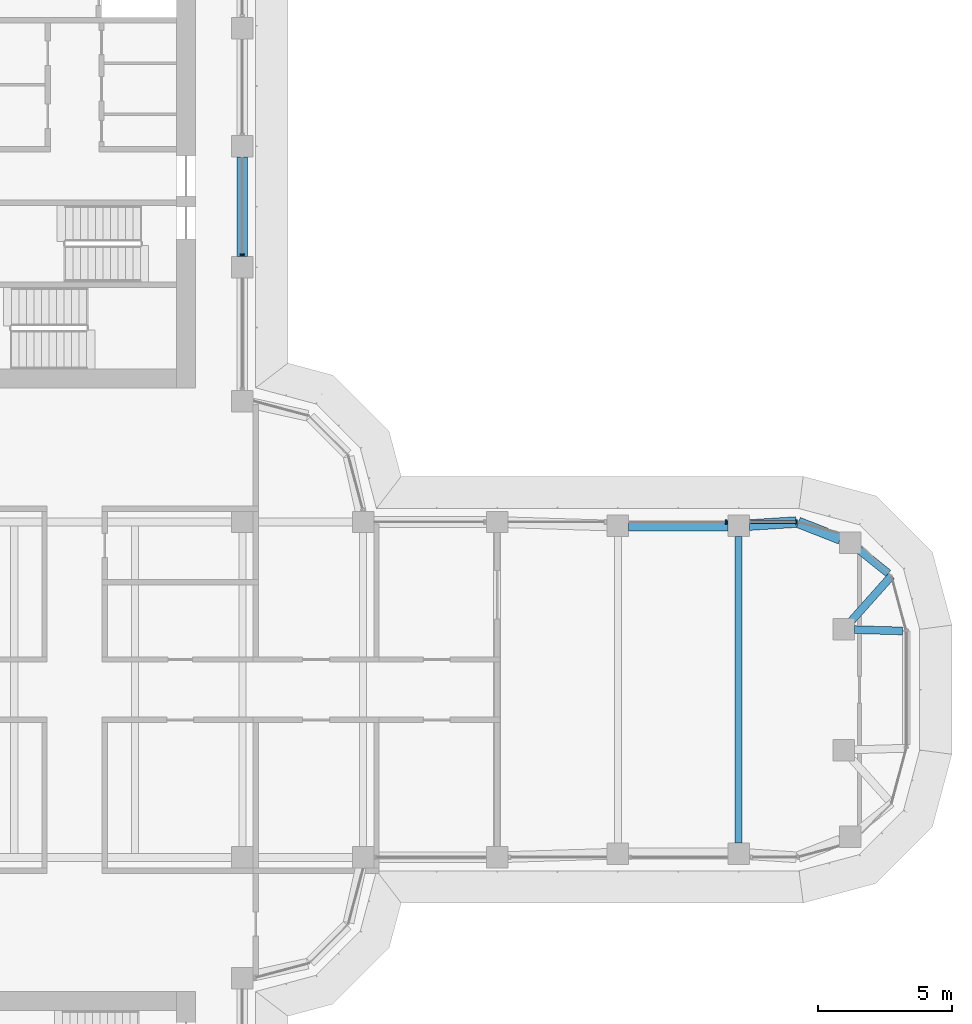
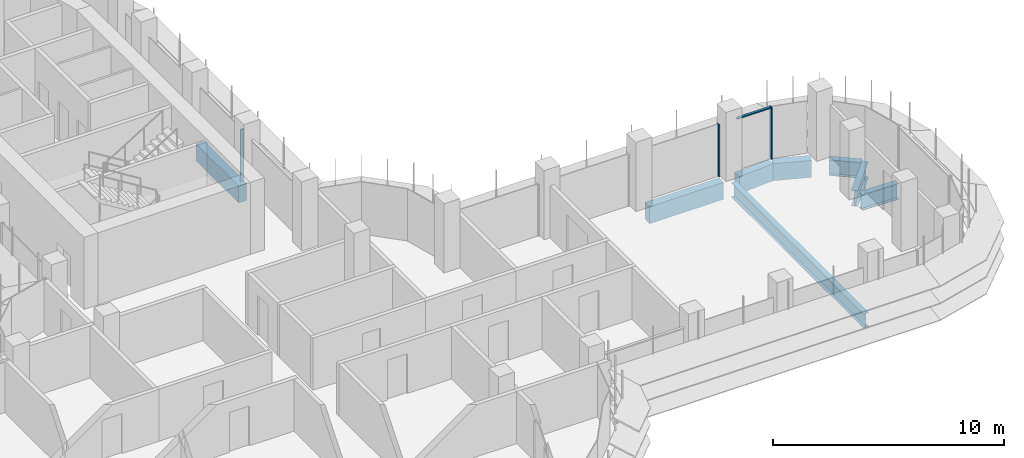
# One storey, part 9 of 20: 8 beams, 4 members, 2 elements without a shape of their own.
"""IFC4 building model written with IfcOpenShell, lengths in metres."""

from ifc_helpers import new_model, si_unit, direction, frame, origin, origin_2d, place, context, subcontext, project, spatial, polyline, rectangle, i_section, outline, extrude, source, transform, mapped, material, material_profile, profile_set, type_object, element, aggregate, save


model = new_model("IFC4")

# Units and contexts
model_context = context("Model", 3, precision=1e-05, world=origin(), true_north=direction((0.0, 1.0)))
body_context = subcontext(model_context, "Body", "Model", "MODEL_VIEW")
ifc_project = project(units=[si_unit("LENGTHUNIT", "METRE"), si_unit("AREAUNIT", "SQUARE_METRE"), si_unit("VOLUMEUNIT", "CUBIC_METRE"), si_unit("PLANEANGLEUNIT", "RADIAN"), si_unit("MASSUNIT", "GRAM", prefix="KILO")], contexts=[model_context])

# Site, building, storey
site_placement = place(None, origin())
site = spatial("IfcSite", under=ifc_project, at=site_placement, CompositionType="ELEMENT")
building_placement = place(site_placement, origin())
building = spatial("IfcBuilding", under=site, at=building_placement, Name="Zarbagh Exchange Tower", CompositionType="ELEMENT")
storey_placement = place(building_placement, frame((0.0, 0.0, 186.60009765625)))
storey = spatial("IfcBuildingStorey", under=building, at=storey_placement, Name="L45", CompositionType="ELEMENT", Elevation=186.60009765625)

# Beams
ifc_material_1 = material(Name="Steel ASTM A992 Gr 50", Category="steel")
ifc_material_profile_1 = material_profile(ifc_material_1, i_section(OverallWidth=0.26416015625, OverallDepth=0.749267578125, WebThickness=0.011962890625, FlangeThickness=0.015380859375, at=origin_2d()), Name="W30X90")
ifc_profile_set_1 = profile_set([ifc_material_profile_1], Name="Steel ASTM A992 Gr 50")
beam_type_1 = type_object("IfcBeamType", Name="Floor beam W30X90", PredefinedType="BEAM", material=ifc_profile_set_1)
beam_1_placement = place(storey_placement, frame((24.75, -5.7099609375, -0.524658203125), z_axis=(0.0, 1.0, 0.0), x_axis=(-1.0, 0.0, 0.0)))
element("IfcBeam", 1, at=beam_1_placement, inside=storey, type_object=beam_type_1, Name="Steel floor beam", PredefinedType="BEAM", context=body_context, shape_type="SweptSolid", body=[
    extrude(i_section(OverallWidth=0.26416015625, OverallDepth=0.749267578125, WebThickness=0.011962890625, FlangeThickness=0.015380859375, at=origin_2d()), origin(), (0.0, 0.0, 1.0), 11.419921875),
])
ifc_material_profile_2 = material_profile(ifc_material_1, i_section(OverallWidth=0.2919921875, OverallDepth=0.835693359375, WebThickness=0.013916015625, FlangeThickness=0.018798828125, at=origin_2d()), Name="W33X118")
ifc_profile_set_2 = profile_set([ifc_material_profile_2], Name="Steel ASTM A992 Gr 50")
beam_type_2 = type_object("IfcBeamType", Name="Floor girder W33X118", PredefinedType="BEAM", material=ifc_profile_set_2)
beam_2_placement = place(storey_placement, frame((29.22021484375, 5.22509765625, -0.56787109375), z_axis=(0.780533236132, -0.625114283387, 0.0), x_axis=(0.625114283387, 0.780533236132, 0.0)))
element("IfcBeam", 2, at=beam_2_placement, inside=storey, type_object=beam_type_2, Name="Steel girder", PredefinedType="BEAM", context=body_context, shape_type="SweptSolid", body=[
    extrude(i_section(OverallWidth=0.2919921875, OverallDepth=0.835693359375, WebThickness=0.013916015625, FlangeThickness=0.018798828125, at=origin_2d()), origin(), (0.0, 0.0, 1.0), 1.420166015625),
])
beam_3_placement = place(storey_placement, frame((30.44873046875, 4.2412109375, -0.56787109375), z_axis=(-0.666191013206, -0.745781156857, 0.0), x_axis=(0.745781156857, -0.666191013206, 0.0)))
element("IfcBeam", 3, at=beam_3_placement, inside=storey, type_object=beam_type_2, Name="Steel girder", PredefinedType="BEAM", context=body_context, shape_type="SweptSolid", body=[
    extrude(i_section(OverallWidth=0.2919921875, OverallDepth=0.835693359375, WebThickness=0.013916015625, FlangeThickness=0.018798828125, at=origin_2d()), origin(), (0.0, 0.0, 1.0), 2.27001953125),
])
beam_4_placement = place(storey_placement, frame((29.06982421875, 2.23876953125, -0.56787109375), z_axis=(0.999600942558, -0.028248108547, 0.0), x_axis=(0.028248108547, 0.999600942558, 0.0)))
element("IfcBeam", 4, at=beam_4_placement, inside=storey, type_object=beam_type_2, Name="Steel girder", PredefinedType="BEAM", context=body_context, shape_type="SweptSolid", body=[
    extrude(i_section(OverallWidth=0.2919921875, OverallDepth=0.835693359375, WebThickness=0.013916015625, FlangeThickness=0.018798828125, at=origin_2d()), origin(), (0.0, 0.0, 1.0), 1.7890625),
])
ifc_material_2 = material(Name="Concrete C50/60", Category="concrete")
ifc_material_profile_3 = material_profile(ifc_material_2, rectangle(XDim=0.39990234375, YDim=0.89990234375, at=origin_2d()), Name="RC spandrel beam 400 x 900 C50/60")
ifc_profile_set_3 = profile_set([ifc_material_profile_3], Name="Concrete C50/60")
beam_type_3 = type_object("IfcBeamType", Name="RC spandrel beam 400 x 900 C50/60", PredefinedType="SPANDREL", material=ifc_profile_set_3)
for number, where, z_axis, x_axis, name in (
    (5, (6.25, 19.85009765625, -0.60009765625), (0.0, -1.0, 0.0), (1.0, 0.0, 0.0), "RC spandrel beam"),
    (6, (20.64990234375, 6.110107421875, -0.60009765625), (1.0, 0.0, 0.0), (0.0, 1.0, 0.0), "RC spandrel beam"),
):
    element("IfcBeam", number, at=place(storey_placement, frame(where, z_axis=z_axis, x_axis=x_axis)), inside=storey, type_object=beam_type_3, Name=name, PredefinedType="SPANDREL", context=body_context, shape_type="SweptSolid", body=[
        extrude(rectangle(XDim=0.39990234375, YDim=0.89990234375, at=origin_2d()), origin(), (0.0, 0.0, 1.0), 3.7001953125),
    ])
beam_5_placement = place(storey_placement, frame((25.149169921875, 6.135498046875, -0.60009765625), z_axis=(0.997942679773, 0.064112462805, 0.0), x_axis=(-0.064112462805, 0.997942679773, 0.0)))
element("IfcBeam", 7, at=beam_5_placement, inside=storey, type_object=beam_type_3, Name="RC spandrel beam", PredefinedType="SPANDREL", context=body_context, shape_type="SweptSolid", body=[
    extrude(rectangle(XDim=0.39990234375, YDim=0.89990234375, at=origin_2d()), origin(), (0.0, 0.0, 1.0), 1.744140625),
])
beam_6_placement = place(storey_placement, frame((26.9755859375, 6.233642578125, -0.60009765625), z_axis=(0.930818758612, -0.36548110569, 0.0), x_axis=(0.36548110569, 0.930818758612, 0.0)))
element("IfcBeam", 8, at=beam_6_placement, inside=storey, type_object=beam_type_3, Name="RC spandrel beam", PredefinedType="SPANDREL", context=body_context, shape_type="SweptSolid", body=[
    extrude(rectangle(XDim=0.39990234375, YDim=0.89990234375, at=origin_2d()), origin(), (0.0, 0.0, 1.0), 1.676025390625),
])

# Curtain wall, members
ifc_material_3 = material(Name="Anodised aluminium frame and glazing", Category="aluminium")
curtain_wall_type = type_object("IfcCurtainWallType", Name="CWB Ribbon glazing, upper zones", PredefinedType="NOTDEFINED", material=ifc_material_3)
curtain_wall_1_placement = place(storey_placement, origin())
curtain_wall_1 = element("IfcCurtainWall", 9, at=curtain_wall_1_placement, inside=storey, type_object=curtain_wall_type, Name="CWB16 curtain wall", PredefinedType="NOTDEFINED")
ifc_material_4 = material(Name="Anodised aluminium frame", Category="aluminium")
member_type_1 = type_object("IfcMemberType", Name="TRB Transom, anodised aluminium frame", PredefinedType="USERDEFINED", material=ifc_material_4)
shared_shape_1 = source(origin(), body_context, "Body", "SweptSolid", [
    extrude(outline(polyline([(-0.06005859375, -0.06005859375), (0.0, -0.06005859375), (0.0, 0.06005859375), (-0.06005859375, 0.06005859375), (-0.06005859375, -0.06005859375)])), origin(), (0.0, 0.0, 1.0), 1.68408203125),
])
placement = place(storey_placement, origin())
member_1 = element("IfcMember", 10, at=placement, type_object=member_type_1, Name="CWB16 transom 1.1", ObjectType="TRANSOM", PredefinedType="USERDEFINED", context=body_context, shape_type="MappedRepresentation", body=[
    mapped(shared_shape_1, transform((26.874267578125, 6.25, 2.75), x_axis=(0.0, 0.0, 1.0), y_axis=(0.0, 1.0, 0.0), z_axis=(-1.0, 0.0, 0.0))),
])
member_type_2 = type_object("IfcMemberType", Name="MUB Mullion, anodised aluminium frame", PredefinedType="MULLION", material=ifc_material_4)
shared_shape_2 = source(origin(), body_context, "Body", "SweptSolid", [
    extrude(outline(polyline([(0.0, -0.080078125), (0.06005859375, -0.080078125), (0.06005859375, 0.080078125), (0.0, 0.080078125), (0.0, -0.080078125)])), origin(), (0.0, 0.0, 1.0), 2.75),
])
member_2 = element("IfcMember", 11, at=placement, type_object=member_type_2, Name="CWB16 mullion 1.1", PredefinedType="MULLION", context=body_context, shape_type="MappedRepresentation", body=[
    mapped(shared_shape_2, transform((26.93408203125, 6.25, 0.0), x_axis=(-1.0, 0.0, 0.0), y_axis=(0.0, -1.0, 0.0), z_axis=(0.0, 0.0, 1.0))),
])
member_3 = element("IfcMember", 12, at=placement, type_object=member_type_2, Name="CWB16 mullion 2.1", PredefinedType="MULLION", context=body_context, shape_type="MappedRepresentation", body=[
    mapped(shared_shape_2, transform((24.31005859375, 6.25, 0.0), x_axis=(-1.0, 0.0, 0.0), y_axis=(0.0, -1.0, 0.0), z_axis=(0.0, 0.0, 1.0))),
])
aggregate(curtain_wall_1, [member_2, member_1, member_3])

# Curtain wall, member
curtain_wall_2_placement = place(storey_placement, origin())
curtain_wall_2 = element("IfcCurtainWall", 13, at=curtain_wall_2_placement, inside=storey, type_object=curtain_wall_type, Name="CWB20 curtain wall", PredefinedType="NOTDEFINED")
member_4 = element("IfcMember", 14, at=placement, type_object=member_type_2, Name="CWB20 mullion 2.1", PredefinedType="MULLION", context=body_context, shape_type="MappedRepresentation", body=[
    mapped(shared_shape_2, transform((6.25, 16.18994140625, 0.0), x_axis=(0.0, 1.0, 0.0), y_axis=(-1.0, 0.0, 0.0), z_axis=(0.0, 0.0, 1.0))),
])
aggregate(curtain_wall_2, [member_4])

save(model, "model.ifc")
